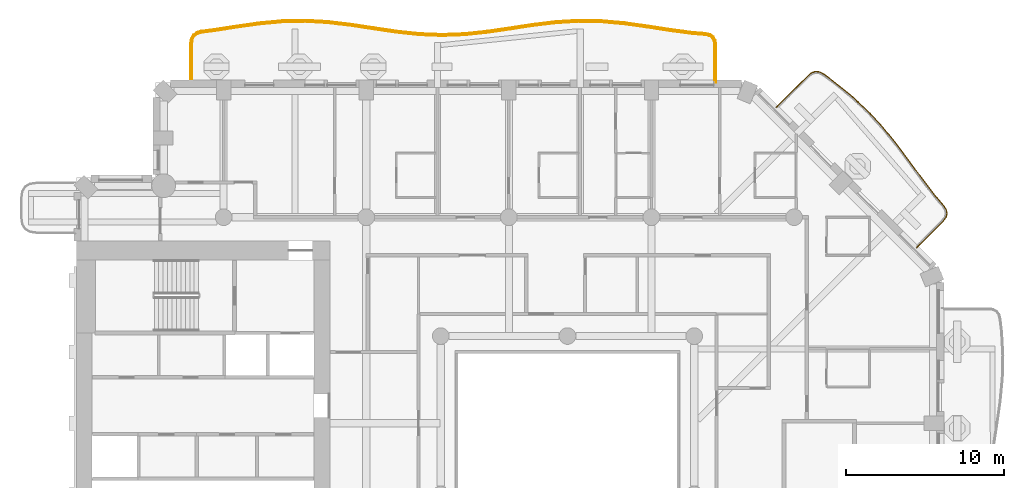
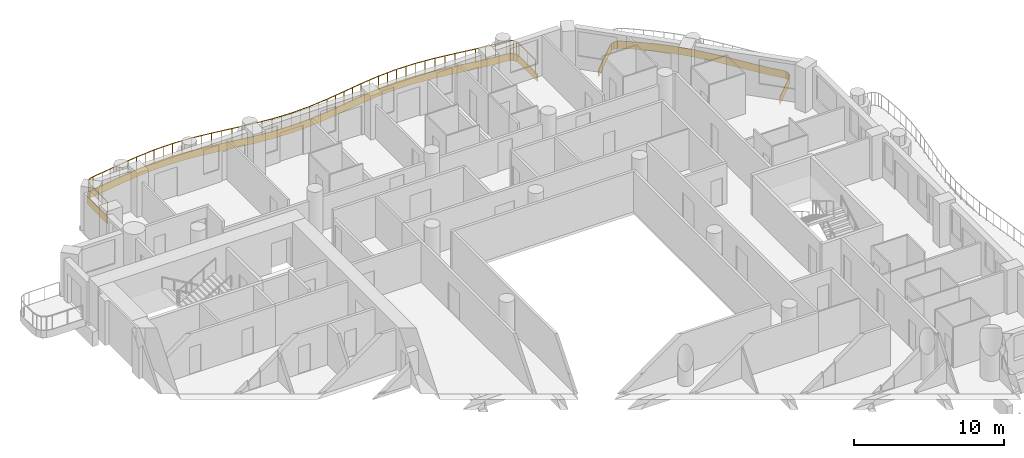
# One storey, part 18 of 20: 2 coverings, 1 railing.
"""IFC4 building model written with IfcOpenShell, lengths in metres."""

import ifcopenshell
import ifcopenshell.guid

model = None  # the IFC model being written
_history = None  # IfcOwnerHistory: only IFC2X3 demands one
_inside = {}  # id of a spatial element -> (the spatial element, [elements in it])
_under = {}  # id of a project, library or spatial element -> (it, [spatial elements below it])
_declared = {}  # id of a project -> (the project, [libraries it declares])
_typed = {}  # id of a type object -> (the type object, [elements of that type])
_made_of = {}  # id of a material, layer set ... -> (it, [elements and type objects made of it])


def new_model(schema):
    """Start an empty IFC model of exactly this schema.

    Asked for "IFC4X3", IfcOpenShell would pick the latest addendum, in which some entities
    have other attributes; the version numbers below select the first issue.
    IFC2X3 requires an IfcOwnerHistory on every rooted entity: one is made here for all.
    """
    global model, _history
    if schema == "IFC4X3":
        model = ifcopenshell.file(schema_version=(4, 3, 0, 0))
    else:
        model = ifcopenshell.file(schema=schema)
    _inside.clear()
    _under.clear()
    _declared.clear()
    _typed.clear()
    _made_of.clear()
    _history = None
    if model.schema == "IFC2X3":
        org = make("IfcOrganization", Name="unknown")
        user = make(
            "IfcPersonAndOrganization",
            ThePerson=make("IfcPerson", FamilyName="unknown"),
            TheOrganization=org,
        )
        app = make(
            "IfcApplication",
            ApplicationDeveloper=org,
            Version="unknown",
            ApplicationFullName="unknown",
            ApplicationIdentifier="unknown",
        )
        _history = make(
            "IfcOwnerHistory",
            OwningUser=user,
            OwningApplication=app,
            ChangeAction="ADDED",
            CreationDate=0,
        )
    return model


def make(cls, **values):
    """One entity of the class cls with the attributes given. An attribute that is None is left unset."""
    return model.create_entity(
        cls, **{name: value for name, value in values.items() if value is not None}
    )


def rooted(cls, **values):
    """An entity with a GlobalId (a new one), such as an element, a storey or a relation."""
    return make(cls, GlobalId=ifcopenshell.guid.new(), OwnerHistory=_history, **values)


def si_unit(unit_type, name, prefix=None):
    """IfcSIUnit, for example si_unit("LENGTHUNIT", "METRE", prefix="MILLI")."""
    return make("IfcSIUnit", UnitType=unit_type, Prefix=prefix, Name=name)


def assignment(units):
    """IfcUnitAssignment: the units of a project."""
    return None if units is None else make("IfcUnitAssignment", Units=units)


def point(xyz):
    """IfcCartesianPoint."""
    return None if xyz is None else make("IfcCartesianPoint", Coordinates=xyz)


def direction(xyz):
    """IfcDirection."""
    return None if xyz is None else make("IfcDirection", DirectionRatios=xyz)


def frame(location, z_axis=None, x_axis=None):
    """IfcAxis2Placement3D, a coordinate frame: its origin and axes. An axis left out is left unset."""
    return make(
        "IfcAxis2Placement3D",
        Location=point(location),
        Axis=direction(z_axis),
        RefDirection=direction(x_axis),
    )


def frame_2d(location, x_axis=None):
    """IfcAxis2Placement2D, a coordinate frame in the plane: its origin and x axis."""
    return make(
        "IfcAxis2Placement2D", Location=point(location), RefDirection=direction(x_axis)
    )


def origin():
    """The frame at (0, 0, 0) with its axes left unset."""
    return frame((0.0, 0.0, 0.0))


def origin_2d():
    """The frame at (0, 0) in the plane with its x axis left unset."""
    return frame_2d((0.0, 0.0))


def place(relative_to, where):
    """IfcLocalPlacement: puts the frame where relative to a parent placement (None: the world)."""
    return make(
        "IfcLocalPlacement", PlacementRelTo=relative_to, RelativePlacement=where
    )


def context(
    kind, dimensions, precision=None, world=None, true_north=None, identifier=None
):
    """IfcGeometricRepresentationContext, for example the 3D "Model" context."""
    return make(
        "IfcGeometricRepresentationContext",
        ContextIdentifier=identifier,
        ContextType=kind,
        CoordinateSpaceDimension=dimensions,
        Precision=precision,
        WorldCoordinateSystem=world,
        TrueNorth=true_north,
    )


def subcontext(parent, identifier, kind, view, scale=None):
    """IfcGeometricRepresentationSubContext, for example "Body" below "Model"."""
    return make(
        "IfcGeometricRepresentationSubContext",
        ContextIdentifier=identifier,
        ContextType=kind,
        ParentContext=parent,
        TargetScale=scale,
        TargetView=view,
    )


def project(units=None, contexts=None):
    """IfcProject with its units and contexts."""
    return rooted(
        "IfcProject",
        Name="project",
        RepresentationContexts=contexts,
        UnitsInContext=assignment(units),
    )


def spatial(cls, under=None, at=None, **own):
    """A site, building, storey or space (cls), placed at a placement, below another one or the project."""
    s = rooted(cls, ObjectPlacement=at, **own)
    if under is not None:
        _under.setdefault(under.id(), (under, []))[1].append(s)
    return s


def polyline(points):
    """IfcPolyline through the points."""
    return make("IfcPolyline", Points=[point(p) for p in points])


def profile(cls, at=None, kind="AREA", **sizes):
    """A parametric profile (cls). Its sizes go by their IFC names, for example OverallWidth=200.0."""
    return make(cls, ProfileType=kind, Position=at, **sizes)


def rectangle(**sizes):
    """IfcRectangleProfileDef."""
    return profile("IfcRectangleProfileDef", **sizes)


def outline(outer, holes=None, kind="AREA"):
    """IfcArbitraryClosedProfileDef: a profile drawn as a closed curve; with holes, ...WithVoids."""
    if holes is None:
        return make("IfcArbitraryClosedProfileDef", ProfileType=kind, OuterCurve=outer)
    return make(
        "IfcArbitraryProfileDefWithVoids",
        ProfileType=kind,
        OuterCurve=outer,
        InnerCurves=holes,
    )


def extrude(swept, where, along, depth):
    """IfcExtrudedAreaSolid: the profile swept, set in the frame where, extruded along a direction by depth."""
    return make(
        "IfcExtrudedAreaSolid",
        SweptArea=swept,
        Position=where,
        ExtrudedDirection=direction(along),
        Depth=depth,
    )


def shape(context_of_items, identifier, shape_type, items):
    """IfcShapeRepresentation: the items that make up one representation, for example the "Body"."""
    return make(
        "IfcShapeRepresentation",
        ContextOfItems=context_of_items,
        RepresentationIdentifier=identifier,
        RepresentationType=shape_type,
        Items=items,
    )


def material(Name=None, Category=None):
    """IfcMaterial."""
    return make("IfcMaterial", Name=Name, Category=Category)


def layer(
    of_material, thickness, ventilated=None, Name=None, Category=None, Priority=None
):
    """IfcMaterialLayer: one layer of a wall or slab, of a material (None: an air gap)."""
    return make(
        "IfcMaterialLayer",
        Material=of_material,
        LayerThickness=thickness,
        IsVentilated=ventilated,
        Name=Name,
        Category=Category,
        Priority=Priority,
    )


def layer_set(layers, Name=None):
    """IfcMaterialLayerSet."""
    return make("IfcMaterialLayerSet", MaterialLayers=layers, LayerSetName=Name)


def made_of(thing, what):
    """Note that an element or type object is made of a material, layer set ...; save() writes the relation."""
    if what is not None:
        _made_of.setdefault(what.id(), (what, []))[1].append(thing)
    return thing


def type_object(cls, material=None, **own):
    """A type object (cls), such as IfcWallType, which elements share."""
    return made_of(rooted(cls, **own), material)


def element(
    cls,
    number,
    at=None,
    inside=None,
    cuts=None,
    type_object=None,
    material=None,
    context=None,
    identifier="Body",
    shape_type=None,
    held_by="IfcProductDefinitionShape",
    body=None,
    shapes=None,
    **own,
):
    """One element of the class cls, such as IfcWall. Its Tag is "e" and its number.

    at: its placement. inside: the storey or other place that contains it. cuts: it is an
    opening in that element (IfcRelVoidsElement). A single representation is given by context,
    identifier, shape_type and body (its items); several are given by shapes. held_by: the class
    of the entity that holds the representations. save() writes the other relations.
    """
    e = rooted(cls, Tag="e%d" % number, ObjectPlacement=at, **own)
    if body is not None:
        shapes = [shape(context, identifier, shape_type, body)]
    if shapes is not None:
        e.Representation = make(held_by, Representations=shapes)
    if inside is not None:
        _inside.setdefault(inside.id(), (inside, []))[1].append(e)
    if cuts is not None:
        rooted(
            "IfcRelVoidsElement", RelatingBuildingElement=cuts, RelatedOpeningElement=e
        )
    if type_object is not None:
        _typed.setdefault(type_object.id(), (type_object, []))[1].append(e)
    return made_of(e, material)


def aggregate(whole, parts):
    """IfcRelAggregates: a whole, such as a stair, and the parts it consists of."""
    return rooted("IfcRelAggregates", RelatingObject=whole, RelatedObjects=parts)


def save(model, path):
    """Write the relations noted so far, then the file.

    IfcRelAggregates (storeys below a building ...), IfcRelContainedInSpatialStructure (elements
    in a storey), IfcRelDefinesByType, IfcRelAssociatesMaterial and IfcRelDeclares: one each for
    every whole, place, type object, material and project.
    """
    for whole, parts in _under.values():
        aggregate(whole, parts)
    for where, things in _inside.values():
        rooted(
            "IfcRelContainedInSpatialStructure",
            RelatedElements=things,
            RelatingStructure=where,
        )
    for kind, things in _typed.values():
        rooted("IfcRelDefinesByType", RelatedObjects=things, RelatingType=kind)
    for what, things in _made_of.values():
        rooted("IfcRelAssociatesMaterial", RelatedObjects=things, RelatingMaterial=what)
    for by, libraries in _declared.values():
        rooted("IfcRelDeclares", RelatingContext=by, RelatedDefinitions=libraries)
    model.write(path)


model = new_model("IFC4")

# Units and contexts
model_context = context("Model", 3, precision=1e-05, world=origin(), true_north=direction((0.0, 1.0)))
body_context = subcontext(model_context, "Body", "Model", "MODEL_VIEW")
ifc_project = project(units=[si_unit("LENGTHUNIT", "METRE"), si_unit("AREAUNIT", "SQUARE_METRE"), si_unit("VOLUMEUNIT", "CUBIC_METRE"), si_unit("PLANEANGLEUNIT", "RADIAN"), si_unit("MASSUNIT", "GRAM", prefix="KILO")], contexts=[model_context])

# Site, building, storey
site_placement = place(None, origin())
site = spatial("IfcSite", under=ifc_project, at=site_placement, CompositionType="ELEMENT")
building_placement = place(site_placement, origin())
building = spatial("IfcBuilding", under=site, at=building_placement, Name="Cypress Arch Tower", CompositionType="ELEMENT")
storey_placement = place(building_placement, frame((0.0, 0.0, 131.10009765625)))
storey = spatial("IfcBuildingStorey", under=building, at=storey_placement, Name="L28", CompositionType="ELEMENT", Elevation=131.10009765625)

# Coverings
ifc_material_1 = material(Name="White powder-coated aluminium fascia", Category="aluminium")
ifc_layer = layer(ifc_material_1, 0.050048828125)
ifc_layer_set = layer_set([ifc_layer], Name="Balcony fascia BF50")
covering_type = type_object("IfcCoveringType", Name="Balcony fascia BF50", PredefinedType="CLADDING", material=ifc_layer_set)
covering_1_placement = place(storey_placement, frame((0.0, 0.0, -0.60009765625)))
element("IfcCovering", 1, at=covering_1_placement, inside=storey, type_object=covering_type, Name="Balcony fascia L28-A07", PredefinedType="CLADDING", context=body_context, shape_type="SweptSolid", body=[
    extrude(outline(polyline([(16.182861328125, 26.4716796875), (16.419677734375, 26.650634765625), (16.6728515625, 26.72509765625), (16.93408203125, 26.688232421875), (17.194091796875, 26.54541015625), (17.815673828125, 26.0830078125), (18.901123046875, 25.205078125), (19.92333984375, 24.2626953125), (20.872314453125, 23.247314453125), (21.755126953125, 22.166748046875), (22.594482421875, 21.044677734375), (23.42236328125, 19.91357421875), (24.273681640625, 18.80810546875), (24.773681640625, 18.22705078125), (24.931396484375, 17.98095703125), (24.97998046875, 17.729248046875), (24.91259765625, 17.481689453125), (24.73681640625, 17.248046875), (23.045166015625, 15.556396484375), (23.009765625, 15.591796875), (24.698974609375, 17.281005859375), (24.866943359375, 17.504150390625), (24.9287109375, 17.731201171875), (24.884033203125, 17.962158203125), (24.7333984375, 18.197265625), (24.23486328125, 18.7763671875), (23.38232421875, 19.883544921875), (22.55419921875, 21.014892578125), (21.7158203125, 22.135986328125), (20.83447265625, 23.21435546875), (19.887939453125, 24.227294921875), (18.868408203125, 25.167236328125), (17.784912109375, 26.04345703125), (17.1669921875, 26.503173828125), (16.91796875, 26.64013671875), (16.676513671875, 26.674072265625), (16.4423828125, 26.605224609375), (16.2158203125, 26.433837890625), (14.191650390625, 24.40966796875), (14.15625, 24.445068359375), (16.182861328125, 26.4716796875)])), origin(), (0.0, 0.0, 1.0), 0.60009765625),
])
covering_2_placement = place(storey_placement, frame((0.0, 0.0, -0.60009765625)))
element("IfcCovering", 2, at=covering_2_placement, inside=storey, type_object=covering_type, Name="Balcony fascia L28-A08", PredefinedType="CLADDING", context=body_context, shape_type="SweptSolid", body=[
    extrude(outline(polyline([(-22.800048828125, 28.47119140625), (-22.7578125, 28.77490234375), (-22.62646484375, 29.012451171875), (-22.407958984375, 29.173583984375), (-22.1123046875, 29.2548828125), (-21.31787109375, 29.35888671875), (-19.879150390625, 29.58203125), (-18.4384765625, 29.784912109375), (-16.996337890625, 29.91748046875), (-15.553466796875, 29.94677734375), (-14.11083984375, 29.865234375), (-12.66943359375, 29.693359375), (-11.2294921875, 29.473876953125), (-9.79150390625, 29.2607421875), (-8.35498046875, 29.10693359375), (-6.91943359375, 29.050048828125), (-5.48388671875, 29.10400390625), (-4.047607421875, 29.255615234375), (-2.609619140625, 29.4677734375), (-1.169921875, 29.687744140625), (0.271728515625, 29.861572265625), (1.714111328125, 29.946044921875), (3.156982421875, 29.919921875), (4.59912109375, 29.789794921875), (6.039794921875, 29.587890625), (7.478759765625, 29.36474609375), (8.916015625, 29.1748046875), (9.709716796875, 29.1142578125), (10.005859375, 29.04931640625), (10.225830078125, 28.900146484375), (10.357666015625, 28.669677734375), (10.39990234375, 28.369384765625), (10.39990234375, 26.0009765625), (10.35009765625, 26.0009765625), (10.35009765625, 28.36572265625), (10.3095703125, 28.653076171875), (10.18798828125, 28.865234375), (9.98583984375, 29.00244140625), (9.702392578125, 29.064697265625), (8.910888671875, 29.125), (7.4716796875, 29.315185546875), (6.03271484375, 29.53857421875), (4.593505859375, 29.739990234375), (3.154296875, 29.869873046875), (1.71533203125, 29.89599609375), (0.276123046875, 29.811767578125), (-1.1630859375, 29.638427734375), (-2.602294921875, 29.418212890625), (-4.041259765625, 29.2060546875), (-5.48046875, 29.05419921875), (-6.919677734375, 29.0), (-8.358642578125, 29.05712890625), (-9.7978515625, 29.211181640625), (-11.237060546875, 29.42431640625), (-12.676025390625, 29.643798828125), (-14.115234375, 29.8154296875), (-15.554443359375, 29.896728515625), (-16.993408203125, 29.86767578125), (-18.4326171875, 29.7353515625), (-19.871826171875, 29.532470703125), (-21.310791015625, 29.309326171875), (-22.102294921875, 29.20556640625), (-22.3857421875, 29.127685546875), (-22.588134765625, 28.978759765625), (-22.70947265625, 28.7587890625), (-22.75, 28.4677734375), (-22.75, 26.0009765625), (-22.800048828125, 26.0009765625), (-22.800048828125, 28.47119140625)])), origin(), (0.0, 0.0, 1.0), 0.60009765625),
])

# Railing
ifc_material_2 = material(Name="Powder-coated steel posts and rods, 100 mm clear between rods", Category="steel")
railing_type = type_object("IfcRailingType", Name="Balcony guard GR1100", PredefinedType="GUARDRAIL", material=ifc_material_2)
railing_placement = place(storey_placement, frame((-22.699951171875, 26.14990234375, 0.0)))
element("IfcRailing", 3, at=railing_placement, inside=storey, type_object=railing_type, Name="Balcony guard L28-A08", PredefinedType="GUARDRAIL", context=body_context, shape_type="SweptSolid", body=[
    extrude(rectangle(XDim=0.050048828125, YDim=0.050048828125, at=origin_2d()), frame((0.0, 0.0, 1.0751953125), z_axis=(0.0, 1.0, 0.0), x_axis=(-1.0, 0.0, 0.0)), (0.0, 0.0, 1.0), 2.314453125),
    extrude(rectangle(XDim=0.050048828125, YDim=0.050048828125, at=origin_2d()), frame((0.0, 2.314453125, 1.0751953125), z_axis=(0.137284217711, 0.990531697407, 0.0), x_axis=(-0.990531697407, 0.137284217711, 0.0)), (0.0, 0.0, 1.0), 0.281005859375),
    extrude(rectangle(XDim=0.050048828125, YDim=0.050048828125, at=origin_2d()), frame((0.03857421875, 2.5927734375, 1.0751953125), z_axis=(0.483579682831, 0.875300342941, 0.0), x_axis=(-0.875300342941, 0.483579682831, 0.0)), (0.0, 0.0, 1.0), 0.231201171875),
    extrude(rectangle(XDim=0.050048828125, YDim=0.050048828125, at=origin_2d()), frame((0.150390625, 2.795166015625, 1.0751953125), z_axis=(0.805294836588, 0.592874545047, 0.0), x_axis=(-0.592874545047, 0.805294836588, 0.0)), (0.0, 0.0, 1.0), 0.23095703125),
    extrude(rectangle(XDim=0.050048828125, YDim=0.050048828125, at=origin_2d()), frame((0.33642578125, 2.93212890625, 1.0751953125), z_axis=(0.964260896002, 0.264954570523, 0.0), x_axis=(-0.264954570523, 0.964260896002, 0.0)), (0.0, 0.0, 1.0), 0.281005859375),
    extrude(rectangle(XDim=0.050048828125, YDim=0.050048828125, at=origin_2d()), frame((0.607421875, 3.006591796875, 1.0751953125), z_axis=(0.991538693958, 0.129811472468, 0.0), x_axis=(-0.129811472468, 0.991538693958, 0.0)), (0.0, 0.0, 1.0), 0.795654296875),
    extrude(rectangle(XDim=0.050048828125, YDim=0.050048828125, at=origin_2d()), frame((1.396240234375, 3.10986328125, 1.0751953125), z_axis=(0.988167333574, 0.153379662463, 0.0), x_axis=(-0.153379662463, 0.988167333574, 0.0)), (0.0, 0.0, 1.0), 1.45654296875),
    extrude(rectangle(XDim=0.050048828125, YDim=0.050048828125, at=origin_2d()), frame((2.83544921875, 3.333251953125, 1.0751953125), z_axis=(0.990236641872, 0.139396531858, 0.0), x_axis=(-0.139396531858, 0.990236641872, 0.0)), (0.0, 0.0, 1.0), 1.451904296875),
    extrude(rectangle(XDim=0.050048828125, YDim=0.050048828125, at=origin_2d()), frame((4.273193359375, 3.53564453125, 1.0751953125), z_axis=(0.995796900354, 0.091588936262, 0.0), x_axis=(-0.091588936262, 0.995796900354, 0.0)), (0.0, 0.0, 1.0), 1.442138671875),
    extrude(rectangle(XDim=0.050048828125, YDim=0.050048828125, at=origin_2d()), frame((5.709228515625, 3.667724609375, 1.0751953125), z_axis=(0.999795272638, 0.020233951946, 0.0), x_axis=(-0.020233951946, 0.999795272638, 0.0)), (0.0, 0.0, 1.0), 1.435791015625),
    extrude(rectangle(XDim=0.050048828125, YDim=0.050048828125, at=origin_2d()), frame((7.144775390625, 3.69677734375, 1.0751953125), z_axis=(0.998409789459, -0.056372797636, 0.0), x_axis=(0.056372797636, 0.998409789459, 0.0)), (0.0, 0.0, 1.0), 1.437744140625),
    extrude(rectangle(XDim=0.050048828125, YDim=0.050048828125, at=origin_2d()), frame((8.580322265625, 3.61572265625, 1.0751953125), z_axis=(0.992960424128, -0.118446596047, 0.0), x_axis=(0.118446596047, 0.992960424128, 0.0)), (0.0, 0.0, 1.0), 1.447021484375),
    extrude(rectangle(XDim=0.050048828125, YDim=0.050048828125, at=origin_2d()), frame((10.01708984375, 3.4443359375, 1.0751953125), z_axis=(0.98858409171, -0.150670148397, 0.0), x_axis=(0.150670148397, 0.98858409171, 0.0)), (0.0, 0.0, 1.0), 1.455078125),
    extrude(rectangle(XDim=0.050048828125, YDim=0.050048828125, at=origin_2d()), frame((11.45556640625, 3.22509765625, 1.0751953125), z_axis=(0.989201661584, -0.14656081577, 0.0), x_axis=(0.14656081577, 0.989201661584, 0.0)), (0.0, 0.0, 1.0), 1.455810546875),
    extrude(rectangle(XDim=0.050048828125, YDim=0.050048828125, at=origin_2d()), frame((12.895751953125, 3.01171875, 1.0751953125), z_axis=(0.994305331852, -0.106568790224, 0.0), x_axis=(0.106568790224, 0.994305331852, 0.0)), (0.0, 0.0, 1.0), 1.4501953125),
    extrude(rectangle(XDim=0.050048828125, YDim=0.050048828125, at=origin_2d()), frame((14.337646484375, 2.857177734375, 1.0751953125), z_axis=(0.999216816899, -0.039569594712, 0.0), x_axis=(0.039569594712, 0.999216816899, 0.0)), (0.0, 0.0, 1.0), 1.44384765625),
    extrude(rectangle(XDim=0.050048828125, YDim=0.050048828125, at=origin_2d()), frame((15.7802734375, 2.800048828125, 1.0751953125), z_axis=(0.999295239278, 0.037536978531, 0.0), x_axis=(-0.037536978531, 0.999295239278, 0.0)), (0.0, 0.0, 1.0), 1.44384765625),
    extrude(rectangle(XDim=0.050048828125, YDim=0.050048828125, at=origin_2d()), frame((17.22314453125, 2.854248046875, 1.0751953125), z_axis=(0.994464781906, 0.105070440892, 0.0), x_axis=(-0.105070440892, 0.994464781906, 0.0)), (0.0, 0.0, 1.0), 1.449951171875),
    extrude(rectangle(XDim=0.050048828125, YDim=0.050048828125, at=origin_2d()), frame((18.6650390625, 3.006591796875, 1.0751953125), z_axis=(0.989298698748, 0.145904368183, 0.0), x_axis=(-0.145904368183, 0.989298698748, 0.0)), (0.0, 0.0, 1.0), 1.455810546875),
    extrude(rectangle(XDim=0.050048828125, YDim=0.050048828125, at=origin_2d()), frame((20.105224609375, 3.218994140625, 1.0751953125), z_axis=(0.988509000636, 0.151162017918, 0.0), x_axis=(-0.151162017918, 0.988509000636, 0.0)), (0.0, 0.0, 1.0), 1.455078125),
    extrude(rectangle(XDim=0.050048828125, YDim=0.050048828125, at=origin_2d()), frame((21.543701171875, 3.43896484375, 1.0751953125), z_axis=(0.992820849537, 0.119610872102, 0.0), x_axis=(-0.119610872102, 0.992820849537, 0.0)), (0.0, 0.0, 1.0), 1.447265625),
    extrude(rectangle(XDim=0.050048828125, YDim=0.050048828125, at=origin_2d()), frame((22.98046875, 3.612060546875, 1.0751953125), z_axis=(0.998293635427, 0.058393642338, 0.0), x_axis=(-0.058393642338, 0.998293635427, 0.0)), (0.0, 0.0, 1.0), 1.438232421875),
    extrude(rectangle(XDim=0.050048828125, YDim=0.050048828125, at=origin_2d()), frame((24.416259765625, 3.696044921875, 1.0751953125), z_axis=(0.999834414326, -0.018197360492, 0.0), x_axis=(0.018197360492, 0.999834414326, 0.0)), (0.0, 0.0, 1.0), 1.435546875),
    extrude(rectangle(XDim=0.050048828125, YDim=0.050048828125, at=origin_2d()), frame((25.8515625, 3.669921875, 1.0751953125), z_axis=(0.995965061024, -0.089741836508, 0.0), x_axis=(0.089741836508, 0.995965061024, 0.0)), (0.0, 0.0, 1.0), 1.44189453125),
    extrude(rectangle(XDim=0.050048828125, YDim=0.050048828125, at=origin_2d()), frame((27.28759765625, 3.54052734375, 1.0751953125), z_axis=(0.990329273715, -0.138736907933, 0.0), x_axis=(0.138736907933, 0.990329273715, 0.0)), (0.0, 0.0, 1.0), 1.451904296875),
    extrude(rectangle(XDim=0.050048828125, YDim=0.050048828125, at=origin_2d()), frame((28.725341796875, 3.339111328125, 1.0751953125), z_axis=(0.988167333574, -0.153379662463, 0.0), x_axis=(0.153379662463, 0.988167333574, 0.0)), (0.0, 0.0, 1.0), 1.45654296875),
    extrude(rectangle(XDim=0.050048828125, YDim=0.050048828125, at=origin_2d()), frame((30.16455078125, 3.11572265625, 1.0751953125), z_axis=(0.991404490392, -0.130832474677, 0.0), x_axis=(0.130832474677, 0.991404490392, 0.0)), (0.0, 0.0, 1.0), 1.45361328125),
    extrude(rectangle(XDim=0.050048828125, YDim=0.050048828125, at=origin_2d()), frame((31.605712890625, 2.925537109375, 1.0751953125), z_axis=(0.997094262569, -0.076177631567, 0.0), x_axis=(0.076177631567, 0.997094262569, 0.0)), (0.0, 0.0, 1.0), 0.79150390625),
    extrude(rectangle(XDim=0.050048828125, YDim=0.050048828125, at=origin_2d()), frame((32.39501953125, 2.865234375, 1.0751953125), z_axis=(0.976784852147, -0.214222670642, 0.0), x_axis=(0.214222670642, 0.976784852147, 0.0)), (0.0, 0.0, 1.0), 0.27685546875),
    extrude(rectangle(XDim=0.050048828125, YDim=0.050048828125, at=origin_2d()), frame((32.66552734375, 2.805908203125, 1.0751953125), z_axis=(0.827312522827, -0.56174192435, 0.0), x_axis=(0.56174192435, 0.827312522827, 0.0)), (0.0, 0.0, 1.0), 0.223388671875),
    extrude(rectangle(XDim=0.050048828125, YDim=0.050048828125, at=origin_2d()), frame((32.850341796875, 2.680419921875, 1.0751953125), z_axis=(0.497197688562, -0.867637285096, 0.0), x_axis=(0.867637285096, 0.497197688562, 0.0)), (0.0, 0.0, 1.0), 0.223388671875),
    extrude(rectangle(XDim=0.050048828125, YDim=0.050048828125, at=origin_2d()), frame((32.96142578125, 2.486572265625, 1.0751953125), z_axis=(0.139322384802, -0.990247076791, 0.0), x_axis=(0.990247076791, 0.139322384802, 0.0)), (0.0, 0.0, 1.0), 0.27685546875),
    extrude(rectangle(XDim=0.050048828125, YDim=0.050048828125, at=origin_2d()), frame((33.0, 2.21240234375, 1.0751953125), z_axis=(0.0, -1.0, 0.0), x_axis=(1.0, 0.0, 0.0)), (0.0, 0.0, 1.0), 2.21240234375),
    extrude(rectangle(XDim=0.0400390625, YDim=0.0400390625, at=origin_2d()), origin(), (0.0, 0.0, 1.0), 1.050048828125),
    extrude(rectangle(XDim=0.0400390625, YDim=0.0400390625, at=origin_2d()), frame((0.0, 1.1572265625, 0.0)), (0.0, 0.0, 1.0), 1.050048828125),
    extrude(rectangle(XDim=0.0400390625, YDim=0.0400390625, at=origin_2d()), frame((0.0, 2.314453125, 0.0)), (0.0, 0.0, 1.0), 1.050048828125),
    extrude(rectangle(XDim=0.0400390625, YDim=0.0400390625, at=origin_2d()), frame((0.03857421875, 2.5927734375, 0.0)), (0.0, 0.0, 1.0), 1.050048828125),
    extrude(rectangle(XDim=0.0400390625, YDim=0.0400390625, at=origin_2d()), frame((0.150390625, 2.795166015625, 0.0)), (0.0, 0.0, 1.0), 1.050048828125),
    extrude(rectangle(XDim=0.0400390625, YDim=0.0400390625, at=origin_2d()), frame((0.33642578125, 2.93212890625, 0.0)), (0.0, 0.0, 1.0), 1.050048828125),
    extrude(rectangle(XDim=0.0400390625, YDim=0.0400390625, at=origin_2d()), frame((0.607421875, 3.006591796875, 0.0)), (0.0, 0.0, 1.0), 1.050048828125),
    extrude(rectangle(XDim=0.0400390625, YDim=0.0400390625, at=origin_2d()), frame((1.396240234375, 3.10986328125, 0.0)), (0.0, 0.0, 1.0), 1.050048828125),
    extrude(rectangle(XDim=0.0400390625, YDim=0.0400390625, at=origin_2d()), frame((2.11572265625, 3.2216796875, 0.0)), (0.0, 0.0, 1.0), 1.050048828125),
    extrude(rectangle(XDim=0.0400390625, YDim=0.0400390625, at=origin_2d()), frame((2.83544921875, 3.333251953125, 0.0)), (0.0, 0.0, 1.0), 1.050048828125),
    extrude(rectangle(XDim=0.0400390625, YDim=0.0400390625, at=origin_2d()), frame((3.55419921875, 3.4345703125, 0.0)), (0.0, 0.0, 1.0), 1.050048828125),
    extrude(rectangle(XDim=0.0400390625, YDim=0.0400390625, at=origin_2d()), frame((4.273193359375, 3.53564453125, 0.0)), (0.0, 0.0, 1.0), 1.050048828125),
    extrude(rectangle(XDim=0.0400390625, YDim=0.0400390625, at=origin_2d()), frame((4.9912109375, 3.6015625, 0.0)), (0.0, 0.0, 1.0), 1.050048828125),
    extrude(rectangle(XDim=0.0400390625, YDim=0.0400390625, at=origin_2d()), frame((5.709228515625, 3.667724609375, 0.0)), (0.0, 0.0, 1.0), 1.050048828125),
    extrude(rectangle(XDim=0.0400390625, YDim=0.0400390625, at=origin_2d()), frame((6.427001953125, 3.68212890625, 0.0)), (0.0, 0.0, 1.0), 1.050048828125),
    extrude(rectangle(XDim=0.0400390625, YDim=0.0400390625, at=origin_2d()), frame((7.144775390625, 3.69677734375, 0.0)), (0.0, 0.0, 1.0), 1.050048828125),
    extrude(rectangle(XDim=0.0400390625, YDim=0.0400390625, at=origin_2d()), frame((7.862548828125, 3.65625, 0.0)), (0.0, 0.0, 1.0), 1.050048828125),
    extrude(rectangle(XDim=0.0400390625, YDim=0.0400390625, at=origin_2d()), frame((8.580322265625, 3.61572265625, 0.0)), (0.0, 0.0, 1.0), 1.050048828125),
    extrude(rectangle(XDim=0.0400390625, YDim=0.0400390625, at=origin_2d()), frame((9.298828125, 3.530029296875, 0.0)), (0.0, 0.0, 1.0), 1.050048828125),
    extrude(rectangle(XDim=0.0400390625, YDim=0.0400390625, at=origin_2d()), frame((10.01708984375, 3.4443359375, 0.0)), (0.0, 0.0, 1.0), 1.050048828125),
    extrude(rectangle(XDim=0.0400390625, YDim=0.0400390625, at=origin_2d()), frame((10.736328125, 3.334716796875, 0.0)), (0.0, 0.0, 1.0), 1.050048828125),
    extrude(rectangle(XDim=0.0400390625, YDim=0.0400390625, at=origin_2d()), frame((11.45556640625, 3.22509765625, 0.0)), (0.0, 0.0, 1.0), 1.050048828125),
    extrude(rectangle(XDim=0.0400390625, YDim=0.0400390625, at=origin_2d()), frame((12.17578125, 3.118408203125, 0.0)), (0.0, 0.0, 1.0), 1.050048828125),
    extrude(rectangle(XDim=0.0400390625, YDim=0.0400390625, at=origin_2d()), frame((12.895751953125, 3.01171875, 0.0)), (0.0, 0.0, 1.0), 1.050048828125),
    extrude(rectangle(XDim=0.0400390625, YDim=0.0400390625, at=origin_2d()), frame((13.61669921875, 2.9345703125, 0.0)), (0.0, 0.0, 1.0), 1.050048828125),
    extrude(rectangle(XDim=0.0400390625, YDim=0.0400390625, at=origin_2d()), frame((14.337646484375, 2.857177734375, 0.0)), (0.0, 0.0, 1.0), 1.050048828125),
    extrude(rectangle(XDim=0.0400390625, YDim=0.0400390625, at=origin_2d()), frame((15.05908203125, 2.82861328125, 0.0)), (0.0, 0.0, 1.0), 1.050048828125),
    extrude(rectangle(XDim=0.0400390625, YDim=0.0400390625, at=origin_2d()), frame((15.7802734375, 2.800048828125, 0.0)), (0.0, 0.0, 1.0), 1.050048828125),
    extrude(rectangle(XDim=0.0400390625, YDim=0.0400390625, at=origin_2d()), frame((16.501708984375, 2.8271484375, 0.0)), (0.0, 0.0, 1.0), 1.050048828125),
    extrude(rectangle(XDim=0.0400390625, YDim=0.0400390625, at=origin_2d()), frame((17.22314453125, 2.854248046875, 0.0)), (0.0, 0.0, 1.0), 1.050048828125),
    extrude(rectangle(XDim=0.0400390625, YDim=0.0400390625, at=origin_2d()), frame((17.944091796875, 2.930419921875, 0.0)), (0.0, 0.0, 1.0), 1.050048828125),
    extrude(rectangle(XDim=0.0400390625, YDim=0.0400390625, at=origin_2d()), frame((18.6650390625, 3.006591796875, 0.0)), (0.0, 0.0, 1.0), 1.050048828125),
    extrude(rectangle(XDim=0.0400390625, YDim=0.0400390625, at=origin_2d()), frame((19.38525390625, 3.11279296875, 0.0)), (0.0, 0.0, 1.0), 1.050048828125),
    extrude(rectangle(XDim=0.0400390625, YDim=0.0400390625, at=origin_2d()), frame((20.105224609375, 3.218994140625, 0.0)), (0.0, 0.0, 1.0), 1.050048828125),
    extrude(rectangle(XDim=0.0400390625, YDim=0.0400390625, at=origin_2d()), frame((20.824462890625, 3.3291015625, 0.0)), (0.0, 0.0, 1.0), 1.050048828125),
    extrude(rectangle(XDim=0.0400390625, YDim=0.0400390625, at=origin_2d()), frame((21.543701171875, 3.43896484375, 0.0)), (0.0, 0.0, 1.0), 1.050048828125),
    extrude(rectangle(XDim=0.0400390625, YDim=0.0400390625, at=origin_2d()), frame((22.26220703125, 3.525390625, 0.0)), (0.0, 0.0, 1.0), 1.050048828125),
    extrude(rectangle(XDim=0.0400390625, YDim=0.0400390625, at=origin_2d()), frame((22.98046875, 3.612060546875, 0.0)), (0.0, 0.0, 1.0), 1.050048828125),
    extrude(rectangle(XDim=0.0400390625, YDim=0.0400390625, at=origin_2d()), frame((23.6982421875, 3.654052734375, 0.0)), (0.0, 0.0, 1.0), 1.050048828125),
    extrude(rectangle(XDim=0.0400390625, YDim=0.0400390625, at=origin_2d()), frame((24.416259765625, 3.696044921875, 0.0)), (0.0, 0.0, 1.0), 1.050048828125),
    extrude(rectangle(XDim=0.0400390625, YDim=0.0400390625, at=origin_2d()), frame((25.1337890625, 3.68310546875, 0.0)), (0.0, 0.0, 1.0), 1.050048828125),
    extrude(rectangle(XDim=0.0400390625, YDim=0.0400390625, at=origin_2d()), frame((25.8515625, 3.669921875, 0.0)), (0.0, 0.0, 1.0), 1.050048828125),
    extrude(rectangle(XDim=0.0400390625, YDim=0.0400390625, at=origin_2d()), frame((26.569580078125, 3.605224609375, 0.0)), (0.0, 0.0, 1.0), 1.050048828125),
    extrude(rectangle(XDim=0.0400390625, YDim=0.0400390625, at=origin_2d()), frame((27.28759765625, 3.54052734375, 0.0)), (0.0, 0.0, 1.0), 1.050048828125),
    extrude(rectangle(XDim=0.0400390625, YDim=0.0400390625, at=origin_2d()), frame((28.00634765625, 3.43994140625, 0.0)), (0.0, 0.0, 1.0), 1.050048828125),
    extrude(rectangle(XDim=0.0400390625, YDim=0.0400390625, at=origin_2d()), frame((28.725341796875, 3.339111328125, 0.0)), (0.0, 0.0, 1.0), 1.050048828125),
    extrude(rectangle(XDim=0.0400390625, YDim=0.0400390625, at=origin_2d()), frame((29.44482421875, 3.2275390625, 0.0)), (0.0, 0.0, 1.0), 1.050048828125),
    extrude(rectangle(XDim=0.0400390625, YDim=0.0400390625, at=origin_2d()), frame((30.16455078125, 3.11572265625, 0.0)), (0.0, 0.0, 1.0), 1.050048828125),
    extrude(rectangle(XDim=0.0400390625, YDim=0.0400390625, at=origin_2d()), frame((30.88525390625, 3.0205078125, 0.0)), (0.0, 0.0, 1.0), 1.050048828125),
    extrude(rectangle(XDim=0.0400390625, YDim=0.0400390625, at=origin_2d()), frame((31.605712890625, 2.925537109375, 0.0)), (0.0, 0.0, 1.0), 1.050048828125),
    extrude(rectangle(XDim=0.0400390625, YDim=0.0400390625, at=origin_2d()), frame((32.39501953125, 2.865234375, 0.0)), (0.0, 0.0, 1.0), 1.050048828125),
    extrude(rectangle(XDim=0.0400390625, YDim=0.0400390625, at=origin_2d()), frame((32.66552734375, 2.805908203125, 0.0)), (0.0, 0.0, 1.0), 1.050048828125),
    extrude(rectangle(XDim=0.0400390625, YDim=0.0400390625, at=origin_2d()), frame((32.850341796875, 2.680419921875, 0.0)), (0.0, 0.0, 1.0), 1.050048828125),
    extrude(rectangle(XDim=0.0400390625, YDim=0.0400390625, at=origin_2d()), frame((32.96142578125, 2.486572265625, 0.0)), (0.0, 0.0, 1.0), 1.050048828125),
    extrude(rectangle(XDim=0.0400390625, YDim=0.0400390625, at=origin_2d()), frame((33.0, 2.21240234375, 0.0)), (0.0, 0.0, 1.0), 1.050048828125),
    extrude(rectangle(XDim=0.0400390625, YDim=0.0400390625, at=origin_2d()), frame((33.0, 1.106201171875, 0.0)), (0.0, 0.0, 1.0), 1.050048828125),
    extrude(rectangle(XDim=0.0400390625, YDim=0.0400390625, at=origin_2d()), frame((33.0, 0.0, 0.0)), (0.0, 0.0, 1.0), 1.050048828125),
])

save(model, "model.ifc")
